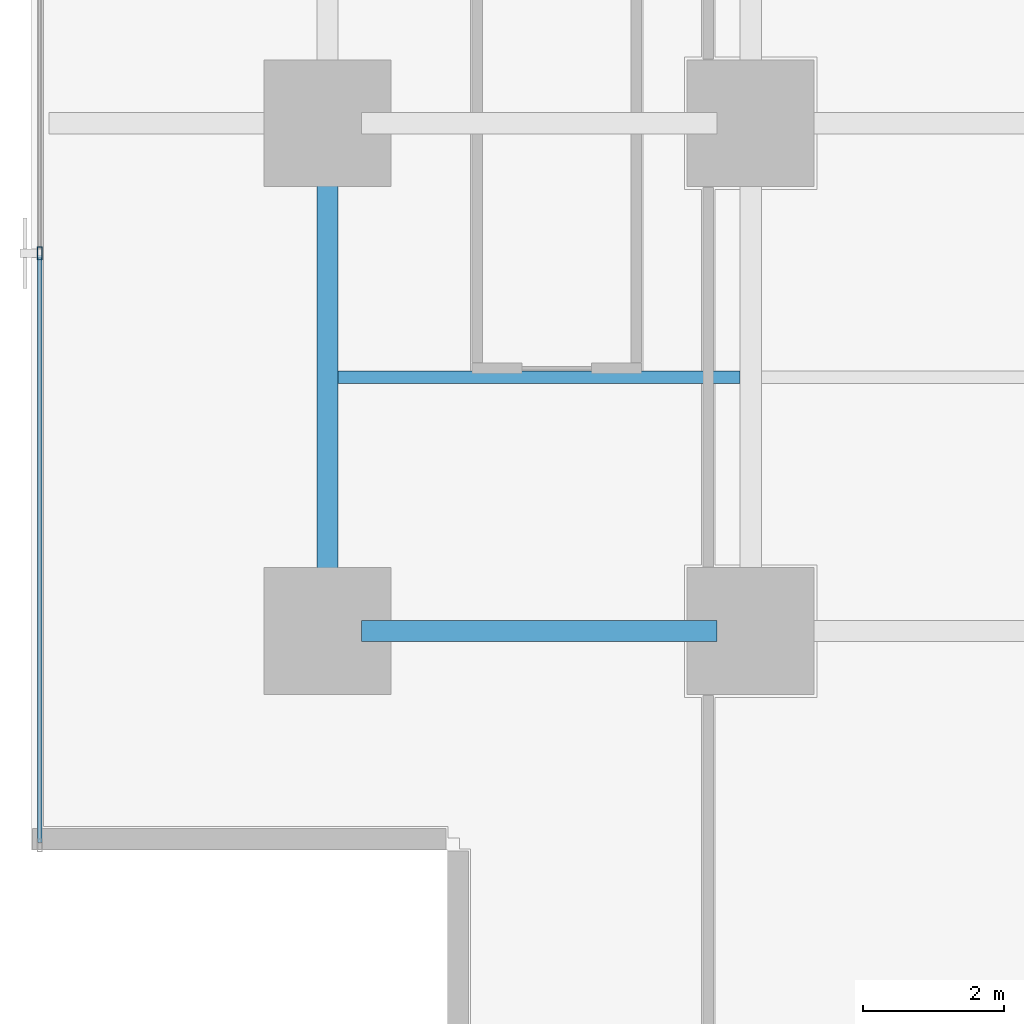
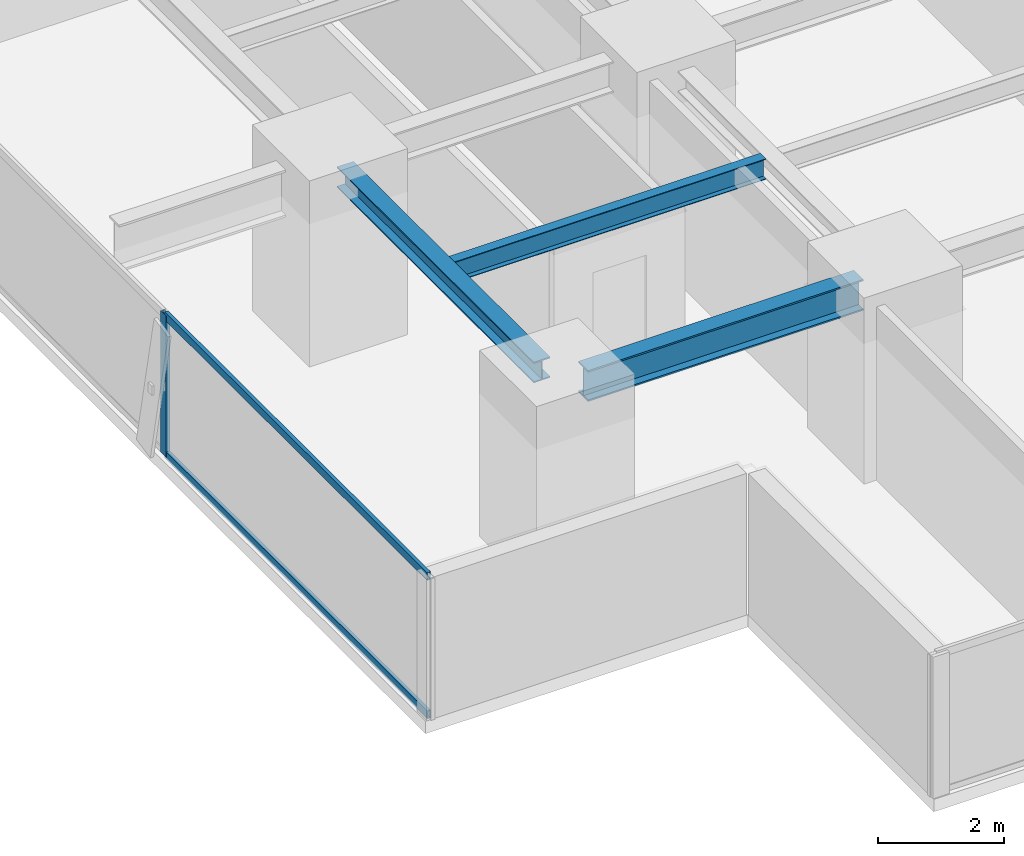
# One storey, part 3 of 32: 3 beams, 3 members, 1 element without a shape of its own.
"""IFC4 building model written with IfcOpenShell, lengths in metres."""

from ifc_helpers import new_model, si_unit, direction, frame, origin, origin_2d, place, context, subcontext, project, spatial, hollow_rectangle, i_section, extrude, source, transform, mapped, material, layer, layer_set, material_profile, profile_set, type_object, element, aggregate, save


model = new_model("IFC4")

# Units and contexts
model_context = context("Model", 3, precision=1e-05, world=origin(), true_north=direction((0.0, 1.0)))
body_context = subcontext(model_context, "Body", "Model", "MODEL_VIEW")
ifc_project = project(units=[si_unit("LENGTHUNIT", "METRE"), si_unit("AREAUNIT", "SQUARE_METRE"), si_unit("VOLUMEUNIT", "CUBIC_METRE"), si_unit("PLANEANGLEUNIT", "RADIAN"), si_unit("MASSUNIT", "GRAM", prefix="KILO")], contexts=[model_context])

# Site, building, storey
site_placement = place(None, origin())
site = spatial("IfcSite", under=ifc_project, at=site_placement, CompositionType="ELEMENT")
building_placement = place(site_placement, origin())
building = spatial("IfcBuilding", under=site, at=building_placement, Name="Sumidabori Civic Tower", CompositionType="ELEMENT")
storey_placement = place(building_placement, frame((0.0, 0.0, 48.800048828125)))
storey = spatial("IfcBuildingStorey", under=building, at=storey_placement, Name="L12", CompositionType="ELEMENT", Elevation=48.800048828125)

# Beams
ifc_material_1 = material(Name="Steel SN490", Category="steel")
ifc_material_profile_1 = material_profile(ifc_material_1, i_section(OverallWidth=0.300048828125, OverallDepth=0.60009765625, WebThickness=0.015380859375, FlangeThickness=0.030029296875, at=origin_2d()), Name="HE 600 B")
ifc_profile_set_1 = profile_set([ifc_material_profile_1], Name="Steel SN490")
beam_type_1 = type_object("IfcBeamType", Name="BM-GIRD-600", PredefinedType="BEAM", material=ifc_profile_set_1)
shared_shape_1 = source(origin(), body_context, "Body", "SweptSolid", [
    extrude(i_section(OverallWidth=0.300048828125, OverallDepth=0.60009765625, WebThickness=0.015380859375, FlangeThickness=0.030029296875, at=origin_2d()), origin(), (0.0, 0.0, 1.0), 5.0400390625),
])
beam_1_placement = place(storey_placement, frame((-22.320068359375, -18.0, 3.06005859375), z_axis=(1.0, 0.0, 0.0), x_axis=(0.0, 1.0, 0.0)))
element("IfcBeam", 1, at=beam_1_placement, inside=storey, type_object=beam_type_1, Name="Primary Girder L12 GX-01", PredefinedType="BEAM", context=body_context, shape_type="MappedRepresentation", body=[
    mapped(shared_shape_1, transform((0.0, 0.0, 0.0), x_axis=(1.0, 0.0, 0.0), y_axis=(0.0, 1.0, 0.0), z_axis=(0.0, 0.0, 1.0), scale=1.0)),
])
ifc_material_profile_2 = material_profile(ifc_material_1, i_section(OverallWidth=0.300048828125, OverallDepth=0.39990234375, WebThickness=0.013427734375, FlangeThickness=0.02392578125, at=origin_2d()), Name="HE 400 B")
ifc_profile_set_2 = profile_set([ifc_material_profile_2], Name="Steel SN490")
beam_type_2 = type_object("IfcBeamType", Name="BM-GIRD-400", PredefinedType="BEAM", material=ifc_profile_set_2)
shared_shape_2 = source(origin(), body_context, "Body", "SweptSolid", [
    extrude(i_section(OverallWidth=0.300048828125, OverallDepth=0.39990234375, WebThickness=0.013427734375, FlangeThickness=0.02392578125, at=origin_2d()), origin(), (0.0, 0.0, 1.0), 6.239990234375),
])
beam_2_placement = place(storey_placement, frame((-22.800048828125, -17.52001953125, 3.159912109375), z_axis=(0.0, 1.0, 0.0), x_axis=(-1.0, 0.0, 0.0)))
element("IfcBeam", 2, at=beam_2_placement, inside=storey, type_object=beam_type_2, Name="Primary Girder L12 GY-21", PredefinedType="BEAM", context=body_context, shape_type="MappedRepresentation", body=[
    mapped(shared_shape_2, transform((0.0, 0.0, 0.0), x_axis=(1.0, 0.0, 0.0), y_axis=(0.0, 1.0, 0.0), z_axis=(0.0, 0.0, 1.0), scale=1.0)),
])
ifc_material_profile_3 = material_profile(ifc_material_1, i_section(OverallWidth=0.179931640625, OverallDepth=0.39990234375, WebThickness=0.008544921875, FlangeThickness=0.013427734375, at=origin_2d()), Name="IPE 400")
ifc_profile_set_3 = profile_set([ifc_material_profile_3], Name="Steel SN490")
beam_type_3 = type_object("IfcBeamType", Name="BM-JST-400", PredefinedType="JOIST", material=ifc_profile_set_3)
shared_shape_3 = source(origin(), body_context, "Body", "SweptSolid", [
    extrude(i_section(OverallWidth=0.179931640625, OverallDepth=0.39990234375, WebThickness=0.008544921875, FlangeThickness=0.013427734375, at=origin_2d()), origin(), (0.0, 0.0, 1.0), 5.699951171875),
])
beam_3_placement = place(storey_placement, frame((-22.64990234375, -14.39990234375, 3.159912109375), z_axis=(1.0, 0.0, 0.0), x_axis=(0.0, 1.0, 0.0)))
element("IfcBeam", 3, at=beam_3_placement, inside=storey, type_object=beam_type_3, Name="Outer Bay Floor Joist L12 JSTO-57", PredefinedType="JOIST", context=body_context, shape_type="MappedRepresentation", body=[
    mapped(shared_shape_3, transform((0.0, 0.0, 0.0), x_axis=(1.0, 0.0, 0.0), y_axis=(0.0, 1.0, 0.0), z_axis=(0.0, 0.0, 1.0), scale=1.0)),
])

# Curtain wall, members
ifc_material_2 = material(Name="Anodised Bronze Aluminium AW-6063-T6", Category="aluminium")
ifc_layer = layer(ifc_material_2, 0.179931640625, Name="Anodised Bronze Aluminium AW-6063-T6")
ifc_layer_set = layer_set([ifc_layer], Name="Anodised Bronze Aluminium AW-6063-T6")
curtain_wall_type = type_object("IfcCurtainWallType", Name="CW-SYS-2", PredefinedType="NOTDEFINED", material=ifc_layer_set)
curtain_wall_placement = place(storey_placement, origin())
curtain_wall = element("IfcCurtainWall", 4, at=curtain_wall_placement, inside=storey, type_object=curtain_wall_type, Name="Curtain Wall CW:L12:R10", PredefinedType="NOTDEFINED")
ifc_material_profile_4 = material_profile(ifc_material_2, hollow_rectangle(XDim=0.070068359375, YDim=0.179931640625, WallThickness=0.006103515625, at=origin_2d()), Name="ALU MULLION 180x70")
ifc_profile_set_4 = profile_set([ifc_material_profile_4], Name="Anodised Bronze Aluminium AW-6063-T6")
member_type_1 = type_object("IfcMemberType", Name="CW-MUL-180", PredefinedType="MULLION", material=ifc_profile_set_4)
shared_shape_4 = source(origin(), body_context, "Body", "SweptSolid", [
    extrude(hollow_rectangle(XDim=0.070068359375, YDim=0.179931640625, WallThickness=0.006103515625, at=origin_2d()), origin(), (0.0, 0.0, 1.0), 2.739990234375),
])
member_1_placement = place(storey_placement, frame((-26.8798828125, -12.64208984375, 0.0), z_axis=(0.0, 0.0, 1.0), x_axis=(1.0, 0.0, 0.0)))
member_1 = element("IfcMember", 5, at=member_1_placement, type_object=member_type_1, Name="CW-2 mullion 5", PredefinedType="MULLION", context=body_context, shape_type="MappedRepresentation", body=[
    mapped(shared_shape_4, transform((0.0, 0.0, 0.0), x_axis=(1.0, 0.0, 0.0), y_axis=(0.0, 1.0, 0.0), z_axis=(0.0, 0.0, 1.0), scale=1.0)),
])
ifc_material_profile_5 = material_profile(ifc_material_2, hollow_rectangle(XDim=0.06494140625, YDim=0.14990234375, WallThickness=0.0048828125, at=origin_2d()), Name="ALU TRANSOM 150x65")
ifc_profile_set_5 = profile_set([ifc_material_profile_5], Name="Anodised Bronze Aluminium AW-6063-T6")
member_type_2 = type_object("IfcMemberType", Name="CW-TRN-150", PredefinedType="USERDEFINED", material=ifc_profile_set_5)
shared_shape_5 = source(origin(), body_context, "Body", "SweptSolid", [
    extrude(hollow_rectangle(XDim=0.06494140625, YDim=0.14990234375, WallThickness=0.0048828125, at=origin_2d()), origin(), (0.0, 0.0, 1.0), 8.322998046875),
])
member_2_placement = place(storey_placement, frame((-26.8798828125, -12.677001953125, 0.032470703125), z_axis=(0.0, -1.0, 0.0), x_axis=(1.0, 0.0, 0.0)))
member_2 = element("IfcMember", 6, at=member_2_placement, type_object=member_type_2, Name="CW-2 transom 5.1", ObjectType="TRANSOM", PredefinedType="USERDEFINED", context=body_context, shape_type="MappedRepresentation", body=[
    mapped(shared_shape_5, transform((0.0, 0.0, 0.0), x_axis=(1.0, 0.0, 0.0), y_axis=(0.0, 1.0, 0.0), z_axis=(0.0, 0.0, 1.0), scale=1.0)),
])
member_3_placement = place(storey_placement, frame((-26.8798828125, -12.677001953125, 2.70751953125), z_axis=(0.0, -1.0, 0.0), x_axis=(1.0, 0.0, 0.0)))
member_3 = element("IfcMember", 7, at=member_3_placement, type_object=member_type_2, Name="CW-2 transom 5.2", ObjectType="TRANSOM", PredefinedType="USERDEFINED", context=body_context, shape_type="MappedRepresentation", body=[
    mapped(shared_shape_5, transform((0.0, 0.0, 0.0), x_axis=(1.0, 0.0, 0.0), y_axis=(0.0, 1.0, 0.0), z_axis=(0.0, 0.0, 1.0), scale=1.0)),
])
aggregate(curtain_wall, [member_1, member_2, member_3])

save(model, "model.ifc")
